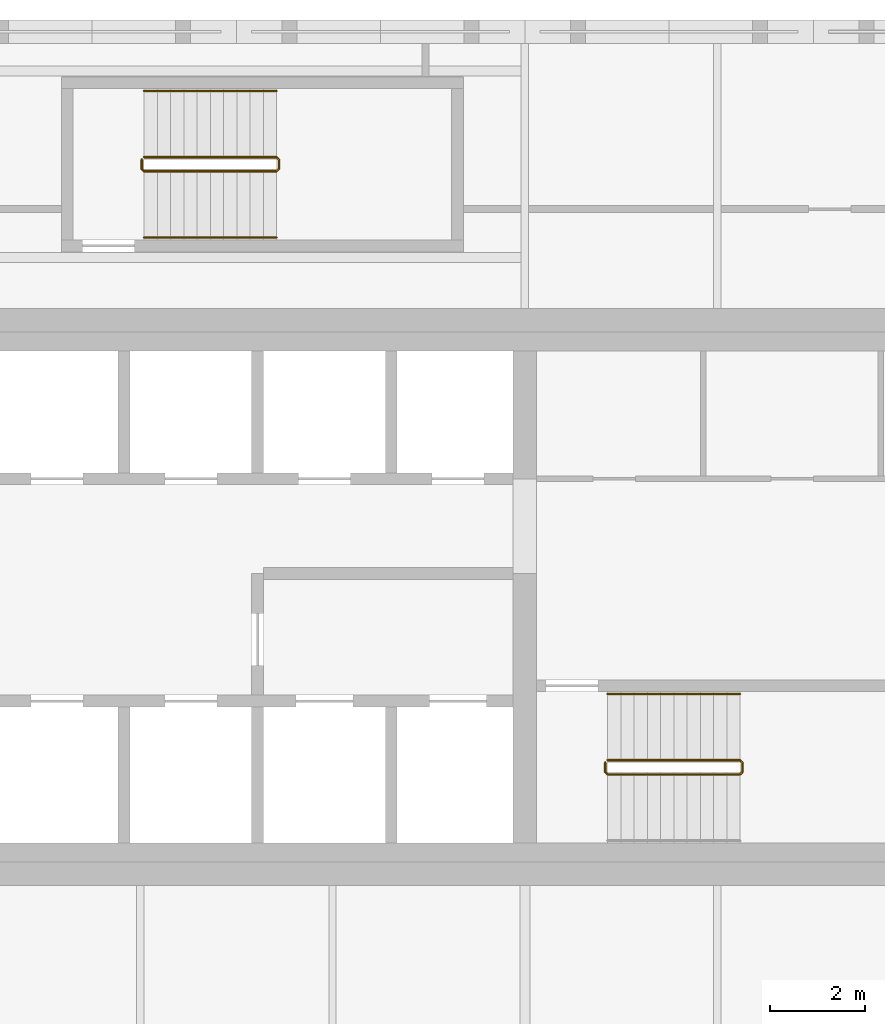
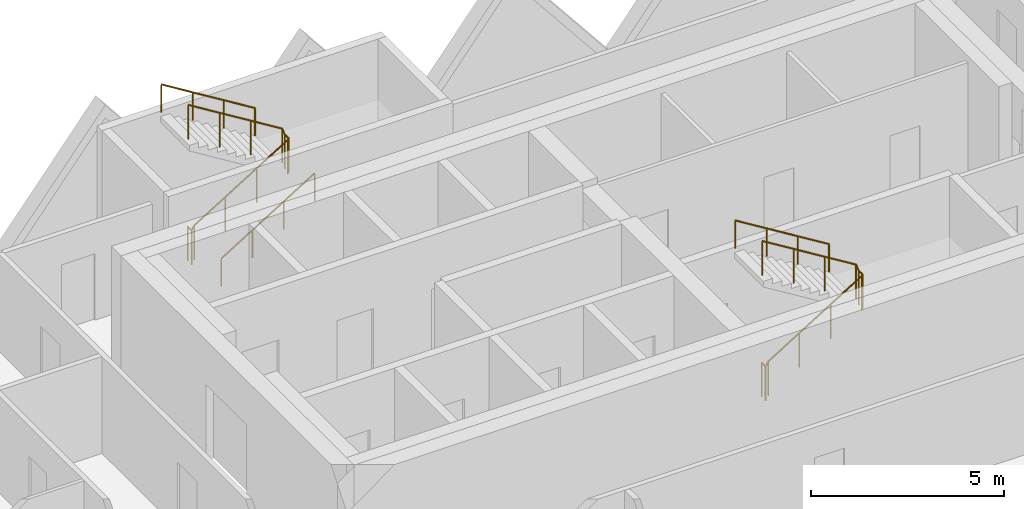
# One storey, part 19 of 19: 5 railings.
"""IFC4 building model written with IfcOpenShell, lengths in metres."""

import ifcopenshell
import ifcopenshell.guid

model = None  # the IFC model being written
_history = None  # IfcOwnerHistory: only IFC2X3 demands one
_inside = {}  # id of a spatial element -> (the spatial element, [elements in it])
_under = {}  # id of a project, library or spatial element -> (it, [spatial elements below it])
_declared = {}  # id of a project -> (the project, [libraries it declares])
_typed = {}  # id of a type object -> (the type object, [elements of that type])
_made_of = {}  # id of a material, layer set ... -> (it, [elements and type objects made of it])


def new_model(schema):
    """Start an empty IFC model of exactly this schema.

    Asked for "IFC4X3", IfcOpenShell would pick the latest addendum, in which some entities
    have other attributes; the version numbers below select the first issue.
    IFC2X3 requires an IfcOwnerHistory on every rooted entity: one is made here for all.
    """
    global model, _history
    if schema == "IFC4X3":
        model = ifcopenshell.file(schema_version=(4, 3, 0, 0))
    else:
        model = ifcopenshell.file(schema=schema)
    _inside.clear()
    _under.clear()
    _declared.clear()
    _typed.clear()
    _made_of.clear()
    _history = None
    if model.schema == "IFC2X3":
        org = make("IfcOrganization", Name="unknown")
        user = make(
            "IfcPersonAndOrganization",
            ThePerson=make("IfcPerson", FamilyName="unknown"),
            TheOrganization=org,
        )
        app = make(
            "IfcApplication",
            ApplicationDeveloper=org,
            Version="unknown",
            ApplicationFullName="unknown",
            ApplicationIdentifier="unknown",
        )
        _history = make(
            "IfcOwnerHistory",
            OwningUser=user,
            OwningApplication=app,
            ChangeAction="ADDED",
            CreationDate=0,
        )
    return model


def make(cls, **values):
    """One entity of the class cls with the attributes given. An attribute that is None is left unset."""
    return model.create_entity(
        cls, **{name: value for name, value in values.items() if value is not None}
    )


def rooted(cls, **values):
    """An entity with a GlobalId (a new one), such as an element, a storey or a relation."""
    return make(cls, GlobalId=ifcopenshell.guid.new(), OwnerHistory=_history, **values)


def si_unit(unit_type, name, prefix=None):
    """IfcSIUnit, for example si_unit("LENGTHUNIT", "METRE", prefix="MILLI")."""
    return make("IfcSIUnit", UnitType=unit_type, Prefix=prefix, Name=name)


def assignment(units):
    """IfcUnitAssignment: the units of a project."""
    return None if units is None else make("IfcUnitAssignment", Units=units)


def point(xyz):
    """IfcCartesianPoint."""
    return None if xyz is None else make("IfcCartesianPoint", Coordinates=xyz)


def direction(xyz):
    """IfcDirection."""
    return None if xyz is None else make("IfcDirection", DirectionRatios=xyz)


def frame(location, z_axis=None, x_axis=None):
    """IfcAxis2Placement3D, a coordinate frame: its origin and axes. An axis left out is left unset."""
    return make(
        "IfcAxis2Placement3D",
        Location=point(location),
        Axis=direction(z_axis),
        RefDirection=direction(x_axis),
    )


def frame_2d(location, x_axis=None):
    """IfcAxis2Placement2D, a coordinate frame in the plane: its origin and x axis."""
    return make(
        "IfcAxis2Placement2D", Location=point(location), RefDirection=direction(x_axis)
    )


def origin():
    """The frame at (0, 0, 0) with its axes left unset."""
    return frame((0.0, 0.0, 0.0))


def origin_2d():
    """The frame at (0, 0) in the plane with its x axis left unset."""
    return frame_2d((0.0, 0.0))


def place(relative_to, where):
    """IfcLocalPlacement: puts the frame where relative to a parent placement (None: the world)."""
    return make(
        "IfcLocalPlacement", PlacementRelTo=relative_to, RelativePlacement=where
    )


def context(
    kind, dimensions, precision=None, world=None, true_north=None, identifier=None
):
    """IfcGeometricRepresentationContext, for example the 3D "Model" context."""
    return make(
        "IfcGeometricRepresentationContext",
        ContextIdentifier=identifier,
        ContextType=kind,
        CoordinateSpaceDimension=dimensions,
        Precision=precision,
        WorldCoordinateSystem=world,
        TrueNorth=true_north,
    )


def subcontext(parent, identifier, kind, view, scale=None):
    """IfcGeometricRepresentationSubContext, for example "Body" below "Model"."""
    return make(
        "IfcGeometricRepresentationSubContext",
        ContextIdentifier=identifier,
        ContextType=kind,
        ParentContext=parent,
        TargetScale=scale,
        TargetView=view,
    )


def project(units=None, contexts=None):
    """IfcProject with its units and contexts."""
    return rooted(
        "IfcProject",
        Name="project",
        RepresentationContexts=contexts,
        UnitsInContext=assignment(units),
    )


def spatial(cls, under=None, at=None, **own):
    """A site, building, storey or space (cls), placed at a placement, below another one or the project."""
    s = rooted(cls, ObjectPlacement=at, **own)
    if under is not None:
        _under.setdefault(under.id(), (under, []))[1].append(s)
    return s


def profile(cls, at=None, kind="AREA", **sizes):
    """A parametric profile (cls). Its sizes go by their IFC names, for example OverallWidth=200.0."""
    return make(cls, ProfileType=kind, Position=at, **sizes)


def circle(**sizes):
    """IfcCircleProfileDef."""
    return profile("IfcCircleProfileDef", **sizes)


def extrude(swept, where, along, depth):
    """IfcExtrudedAreaSolid: the profile swept, set in the frame where, extruded along a direction by depth."""
    return make(
        "IfcExtrudedAreaSolid",
        SweptArea=swept,
        Position=where,
        ExtrudedDirection=direction(along),
        Depth=depth,
    )


def shape(context_of_items, identifier, shape_type, items):
    """IfcShapeRepresentation: the items that make up one representation, for example the "Body"."""
    return make(
        "IfcShapeRepresentation",
        ContextOfItems=context_of_items,
        RepresentationIdentifier=identifier,
        RepresentationType=shape_type,
        Items=items,
    )


def material(Name=None, Category=None):
    """IfcMaterial."""
    return make("IfcMaterial", Name=Name, Category=Category)


def made_of(thing, what):
    """Note that an element or type object is made of a material, layer set ...; save() writes the relation."""
    if what is not None:
        _made_of.setdefault(what.id(), (what, []))[1].append(thing)
    return thing


def type_object(cls, material=None, **own):
    """A type object (cls), such as IfcWallType, which elements share."""
    return made_of(rooted(cls, **own), material)


def element(
    cls,
    number,
    at=None,
    inside=None,
    cuts=None,
    type_object=None,
    material=None,
    context=None,
    identifier="Body",
    shape_type=None,
    held_by="IfcProductDefinitionShape",
    body=None,
    shapes=None,
    **own,
):
    """One element of the class cls, such as IfcWall. Its Tag is "e" and its number.

    at: its placement. inside: the storey or other place that contains it. cuts: it is an
    opening in that element (IfcRelVoidsElement). A single representation is given by context,
    identifier, shape_type and body (its items); several are given by shapes. held_by: the class
    of the entity that holds the representations. save() writes the other relations.
    """
    e = rooted(cls, Tag="e%d" % number, ObjectPlacement=at, **own)
    if body is not None:
        shapes = [shape(context, identifier, shape_type, body)]
    if shapes is not None:
        e.Representation = make(held_by, Representations=shapes)
    if inside is not None:
        _inside.setdefault(inside.id(), (inside, []))[1].append(e)
    if cuts is not None:
        rooted(
            "IfcRelVoidsElement", RelatingBuildingElement=cuts, RelatedOpeningElement=e
        )
    if type_object is not None:
        _typed.setdefault(type_object.id(), (type_object, []))[1].append(e)
    return made_of(e, material)


def aggregate(whole, parts):
    """IfcRelAggregates: a whole, such as a stair, and the parts it consists of."""
    return rooted("IfcRelAggregates", RelatingObject=whole, RelatedObjects=parts)


def save(model, path):
    """Write the relations noted so far, then the file.

    IfcRelAggregates (storeys below a building ...), IfcRelContainedInSpatialStructure (elements
    in a storey), IfcRelDefinesByType, IfcRelAssociatesMaterial and IfcRelDeclares: one each for
    every whole, place, type object, material and project.
    """
    for whole, parts in _under.values():
        aggregate(whole, parts)
    for where, things in _inside.values():
        rooted(
            "IfcRelContainedInSpatialStructure",
            RelatedElements=things,
            RelatingStructure=where,
        )
    for kind, things in _typed.values():
        rooted("IfcRelDefinesByType", RelatedObjects=things, RelatingType=kind)
    for what, things in _made_of.values():
        rooted("IfcRelAssociatesMaterial", RelatedObjects=things, RelatingMaterial=what)
    for by, libraries in _declared.values():
        rooted("IfcRelDeclares", RelatingContext=by, RelatedDefinitions=libraries)
    model.write(path)


model = new_model("IFC4")

# Units and contexts
model_context = context("Model", 3, precision=1e-05, world=origin(), true_north=direction((0.0, 1.0)))
body_context = subcontext(model_context, "Body", "Model", "MODEL_VIEW")
ifc_project = project(units=[si_unit("LENGTHUNIT", "METRE"), si_unit("AREAUNIT", "SQUARE_METRE"), si_unit("VOLUMEUNIT", "CUBIC_METRE"), si_unit("PLANEANGLEUNIT", "RADIAN"), si_unit("MASSUNIT", "GRAM", prefix="KILO")], contexts=[model_context])

# Site, building, storey
site_placement = place(None, origin())
site = spatial("IfcSite", under=ifc_project, at=site_placement, CompositionType="ELEMENT")
building_placement = place(site_placement, origin())
building = spatial("IfcBuilding", under=site, at=building_placement, Name="Tessera Gate Towers", CompositionType="ELEMENT")
storey_placement = place(building_placement, frame((0.0, 0.0, 87.60009765625)))
storey = spatial("IfcBuildingStorey", under=building, at=storey_placement, Name="L21", CompositionType="ELEMENT", Elevation=87.60009765625)

# Railings
ifc_material_1 = material(Name="Steel 350W", Category="steel")
railing_type_1 = type_object("IfcRailingType", Name="STAIR GUARD 1100", PredefinedType="GUARDRAIL", material=ifc_material_1)
railing_1_placement = place(storey_placement, frame((111.5, 39.199951171875, 0.0)))
element("IfcRailing", 1, at=railing_1_placement, inside=storey, type_object=railing_type_1, Name="L21 ST6 stair guard 1", PredefinedType="GUARDRAIL", context=body_context, shape_type="SweptSolid", body=[
    extrude(circle(Radius=0.02392578125, at=origin_2d()), frame((0.0, 0.0, 1.076171875), z_axis=(0.0, -1.0, 0.0), x_axis=(1.0, 0.0, 0.0)), (0.0, 0.0, 1.0), 0.199951171875),
    extrude(circle(Radius=0.02392578125, at=origin_2d()), frame((0.0, -0.199951171875, 1.076171875), z_axis=(0.268277960024, -0.268277960024, 0.925231793839), x_axis=(0.707106781187, 0.707106781187, 0.0)), (0.0, 0.0, 1.0), 0.1865234375),
    extrude(circle(Radius=0.02392578125, at=origin_2d()), frame((0.050048828125, -0.25, 1.24853515625), z_axis=(0.851089632645, 0.0, 0.525020415988), x_axis=(0.0, 1.0, 0.0)), (0.0, 0.0, 1.0), 3.2900390625),
    extrude(circle(Radius=0.02392578125, at=origin_2d()), frame((2.85009765625, -0.25, 2.97607421875), z_axis=(0.705375805398, 0.708833529934, 0.0), x_axis=(-0.708833529934, 0.705375805398, 0.0)), (0.0, 0.0, 1.0), 0.070556640625),
    extrude(circle(Radius=0.02392578125, at=origin_2d()), frame((2.89990234375, -0.199951171875, 2.97607421875), z_axis=(0.0, 1.0, 0.0), x_axis=(-1.0, 0.0, 0.0)), (0.0, 0.0, 1.0), 0.199951171875),
    extrude(circle(Radius=0.02392578125, at=origin_2d()), frame((2.89990234375, 0.0, 2.97607421875), z_axis=(-0.267062837333, 0.268371968888, 0.925556009775), x_axis=(-0.708833529934, -0.705375805398, 0.0)), (0.0, 0.0, 1.0), 0.1865234375),
    extrude(circle(Radius=0.02392578125, at=origin_2d()), frame((2.85009765625, 0.050048828125, 3.1484375), z_axis=(-0.851089632645, 0.0, 0.525020415988), x_axis=(0.0, -1.0, 0.0)), (0.0, 0.0, 1.0), 3.2900390625),
    extrude(circle(Radius=0.02099609375, at=origin_2d()), origin(), (0.0, 0.0, 1.0), 1.052001953125),
    extrude(circle(Radius=0.02099609375, at=origin_2d()), frame((0.0, -0.199951171875, 0.0)), (0.0, 0.0, 1.0), 1.052001953125),
    extrude(circle(Radius=0.02099609375, at=origin_2d()), frame((0.050048828125, -0.25, 0.172607421875)), (0.0, 0.0, 1.0), 1.052001953125),
    extrude(circle(Radius=0.02099609375, at=origin_2d()), frame((0.9833984375, -0.25, 0.748291015625)), (0.0, 0.0, 1.0), 1.052001953125),
    extrude(circle(Radius=0.02099609375, at=origin_2d()), frame((1.916748046875, -0.25, 1.32421875)), (0.0, 0.0, 1.0), 1.052001953125),
    extrude(circle(Radius=0.02099609375, at=origin_2d()), frame((2.85009765625, -0.25, 1.89990234375)), (0.0, 0.0, 1.0), 1.052001953125),
    extrude(circle(Radius=0.02099609375, at=origin_2d()), frame((2.89990234375, -0.199951171875, 1.89990234375)), (0.0, 0.0, 1.0), 1.052001953125),
    extrude(circle(Radius=0.02099609375, at=origin_2d()), frame((2.89990234375, 0.0, 1.89990234375)), (0.0, 0.0, 1.0), 1.052001953125),
    extrude(circle(Radius=0.02099609375, at=origin_2d()), frame((2.85009765625, 0.050048828125, 2.072509765625)), (0.0, 0.0, 1.0), 1.052001953125),
    extrude(circle(Radius=0.02099609375, at=origin_2d()), frame((1.916748046875, 0.050048828125, 2.648193359375)), (0.0, 0.0, 1.0), 1.052001953125),
    extrude(circle(Radius=0.02099609375, at=origin_2d()), frame((0.9833984375, 0.050048828125, 3.22412109375)), (0.0, 0.0, 1.0), 1.052001953125),
    extrude(circle(Radius=0.02099609375, at=origin_2d()), frame((0.050048828125, 0.050048828125, 3.7998046875)), (0.0, 0.0, 1.0), 1.052001953125),
])
railing_2_placement = place(storey_placement, frame((101.699951171875, 51.949951171875, 0.0)))
element("IfcRailing", 2, at=railing_2_placement, inside=storey, type_object=railing_type_1, Name="L21 ST7 stair guard 1", PredefinedType="GUARDRAIL", context=body_context, shape_type="SweptSolid", body=[
    extrude(circle(Radius=0.02392578125, at=origin_2d()), frame((0.0, 0.0, 1.076171875), z_axis=(0.0, -1.0, 0.0), x_axis=(1.0, 0.0, 0.0)), (0.0, 0.0, 1.0), 0.199951171875),
    extrude(circle(Radius=0.02392578125, at=origin_2d()), frame((0.0, -0.199951171875, 1.076171875), z_axis=(0.268277960024, -0.268277960024, 0.925231793839), x_axis=(0.707106781187, 0.707106781187, 0.0)), (0.0, 0.0, 1.0), 0.1865234375),
    extrude(circle(Radius=0.02392578125, at=origin_2d()), frame((0.050048828125, -0.25, 1.24853515625), z_axis=(0.851089632645, 0.0, 0.525020415988), x_axis=(0.0, 1.0, 0.0)), (0.0, 0.0, 1.0), 3.2900390625),
    extrude(circle(Radius=0.02392578125, at=origin_2d()), frame((2.85009765625, -0.25, 2.97607421875), z_axis=(0.707106781187, 0.707106781187, 0.0), x_axis=(-0.707106781187, 0.707106781187, 0.0)), (0.0, 0.0, 1.0), 0.07080078125),
    extrude(circle(Radius=0.02392578125, at=origin_2d()), frame((2.900146484375, -0.199951171875, 2.97607421875), z_axis=(0.0, 1.0, 0.0), x_axis=(-1.0, 0.0, 0.0)), (0.0, 0.0, 1.0), 0.199951171875),
    extrude(circle(Radius=0.02392578125, at=origin_2d()), frame((2.900146484375, 0.0, 2.97607421875), z_axis=(-0.268277960024, 0.268277960024, 0.925231793839), x_axis=(-0.707106781187, -0.707106781187, 0.0)), (0.0, 0.0, 1.0), 0.1865234375),
    extrude(circle(Radius=0.02392578125, at=origin_2d()), frame((2.85009765625, 0.050048828125, 3.1484375), z_axis=(-0.851089632645, 0.0, 0.525020415988), x_axis=(0.0, -1.0, 0.0)), (0.0, 0.0, 1.0), 3.2900390625),
    extrude(circle(Radius=0.02099609375, at=origin_2d()), origin(), (0.0, 0.0, 1.0), 1.052001953125),
    extrude(circle(Radius=0.02099609375, at=origin_2d()), frame((0.0, -0.199951171875, 0.0)), (0.0, 0.0, 1.0), 1.052001953125),
    extrude(circle(Radius=0.02099609375, at=origin_2d()), frame((0.050048828125, -0.25, 0.172607421875)), (0.0, 0.0, 1.0), 1.052001953125),
    extrude(circle(Radius=0.02099609375, at=origin_2d()), frame((0.9833984375, -0.25, 0.748291015625)), (0.0, 0.0, 1.0), 1.052001953125),
    extrude(circle(Radius=0.02099609375, at=origin_2d()), frame((1.916748046875, -0.25, 1.32421875)), (0.0, 0.0, 1.0), 1.052001953125),
    extrude(circle(Radius=0.02099609375, at=origin_2d()), frame((2.85009765625, -0.25, 1.89990234375)), (0.0, 0.0, 1.0), 1.052001953125),
    extrude(circle(Radius=0.02099609375, at=origin_2d()), frame((2.900146484375, -0.199951171875, 1.89990234375)), (0.0, 0.0, 1.0), 1.052001953125),
    extrude(circle(Radius=0.02099609375, at=origin_2d()), frame((2.900146484375, 0.0, 1.89990234375)), (0.0, 0.0, 1.0), 1.052001953125),
    extrude(circle(Radius=0.02099609375, at=origin_2d()), frame((2.85009765625, 0.050048828125, 2.072509765625)), (0.0, 0.0, 1.0), 1.052001953125),
    extrude(circle(Radius=0.02099609375, at=origin_2d()), frame((1.916748046875, 0.050048828125, 2.648193359375)), (0.0, 0.0, 1.0), 1.052001953125),
    extrude(circle(Radius=0.02099609375, at=origin_2d()), frame((0.9833984375, 0.050048828125, 3.22412109375)), (0.0, 0.0, 1.0), 1.052001953125),
    extrude(circle(Radius=0.02099609375, at=origin_2d()), frame((0.050048828125, 0.050048828125, 3.7998046875)), (0.0, 0.0, 1.0), 1.052001953125),
])
ifc_material_2 = material(Name="Steel 350W", Category="steel")
railing_type_2 = type_object("IfcRailingType", Name="STAIR HANDRAIL 900", PredefinedType="HANDRAIL", material=ifc_material_2)
railing_3_placement = place(storey_placement, frame((114.35009765625, 40.64990234375, 2.072509765625)))
element("IfcRailing", 3, at=railing_3_placement, inside=storey, type_object=railing_type_2, Name="L21 ST6 stair handrail 2", PredefinedType="HANDRAIL", context=body_context, shape_type="SweptSolid", body=[
    extrude(circle(Radius=0.02392578125, at=origin_2d()), frame((0.0, 0.0, 0.8759765625), z_axis=(-0.851089632645, 0.0, 0.525020415988), x_axis=(0.0, -1.0, 0.0)), (0.0, 0.0, 1.0), 3.2900390625),
    extrude(circle(Radius=0.02099609375, at=origin_2d()), origin(), (0.0, 0.0, 1.0), 0.851806640625),
    extrude(circle(Radius=0.02099609375, at=origin_2d()), frame((-0.933349609375, 0.0, 0.57568359375)), (0.0, 0.0, 1.0), 0.851806640625),
    extrude(circle(Radius=0.02099609375, at=origin_2d()), frame((-1.86669921875, 0.0, 1.151611328125)), (0.0, 0.0, 1.0), 0.851806640625),
    extrude(circle(Radius=0.02099609375, at=origin_2d()), frame((-2.800048828125, 0.0, 1.727294921875)), (0.0, 0.0, 1.0), 0.851806640625),
])
railing_4_placement = place(storey_placement, frame((101.75, 50.300048828125, 0.172607421875)))
element("IfcRailing", 4, at=railing_4_placement, inside=storey, type_object=railing_type_2, Name="L21 ST7 stair handrail 1", PredefinedType="HANDRAIL", context=body_context, shape_type="SweptSolid", body=[
    extrude(circle(Radius=0.02392578125, at=origin_2d()), frame((0.0, 0.0, 0.8759765625), z_axis=(0.851089632645, 0.0, 0.525020415988), x_axis=(0.0, 1.0, 0.0)), (0.0, 0.0, 1.0), 3.2900390625),
    extrude(circle(Radius=0.02099609375, at=origin_2d()), origin(), (0.0, 0.0, 1.0), 0.851806640625),
    extrude(circle(Radius=0.02099609375, at=origin_2d()), frame((0.933349609375, 0.0, 0.57568359375)), (0.0, 0.0, 1.0), 0.851806640625),
    extrude(circle(Radius=0.02099609375, at=origin_2d()), frame((1.86669921875, 0.0, 1.151611328125)), (0.0, 0.0, 1.0), 0.851806640625),
    extrude(circle(Radius=0.02099609375, at=origin_2d()), frame((2.800048828125, 0.0, 1.727294921875)), (0.0, 0.0, 1.0), 0.851806640625),
])
railing_5_placement = place(storey_placement, frame((104.550048828125, 53.39990234375, 2.072509765625)))
element("IfcRailing", 5, at=railing_5_placement, inside=storey, type_object=railing_type_2, Name="L21 ST7 stair handrail 2", PredefinedType="HANDRAIL", context=body_context, shape_type="SweptSolid", body=[
    extrude(circle(Radius=0.02392578125, at=origin_2d()), frame((0.0, 0.0, 0.8759765625), z_axis=(-0.851089632645, 0.0, 0.525020415988), x_axis=(0.0, -1.0, 0.0)), (0.0, 0.0, 1.0), 3.2900390625),
    extrude(circle(Radius=0.02099609375, at=origin_2d()), origin(), (0.0, 0.0, 1.0), 0.851806640625),
    extrude(circle(Radius=0.02099609375, at=origin_2d()), frame((-0.933349609375, 0.0, 0.57568359375)), (0.0, 0.0, 1.0), 0.851806640625),
    extrude(circle(Radius=0.02099609375, at=origin_2d()), frame((-1.86669921875, 0.0, 1.151611328125)), (0.0, 0.0, 1.0), 0.851806640625),
    extrude(circle(Radius=0.02099609375, at=origin_2d()), frame((-2.800048828125, 0.0, 1.727294921875)), (0.0, 0.0, 1.0), 0.851806640625),
])

save(model, "model.ifc")
